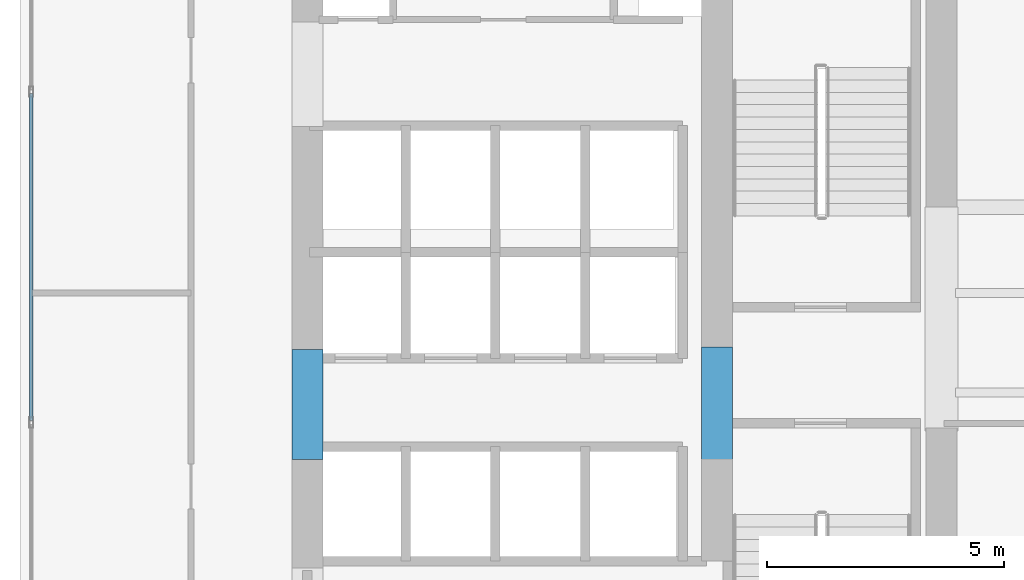
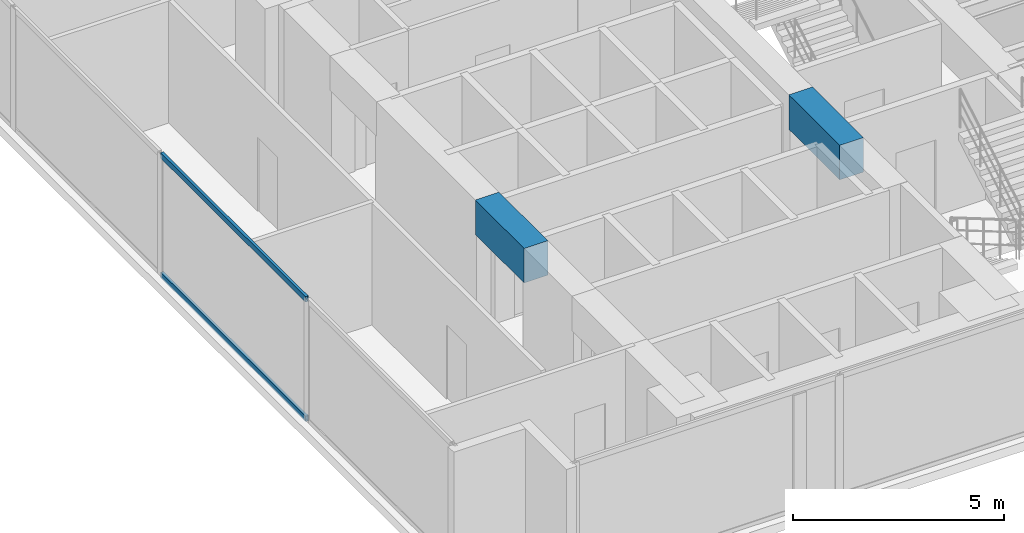
# One storey, part 3 of 28: 2 beams, 2 members, 1 element without a shape of its own.
"""IFC4 building model written with IfcOpenShell, lengths in metres."""

import ifcopenshell
import ifcopenshell.guid

model = None  # the IFC model being written
_history = None  # IfcOwnerHistory: only IFC2X3 demands one
_inside = {}  # id of a spatial element -> (the spatial element, [elements in it])
_under = {}  # id of a project, library or spatial element -> (it, [spatial elements below it])
_declared = {}  # id of a project -> (the project, [libraries it declares])
_typed = {}  # id of a type object -> (the type object, [elements of that type])
_made_of = {}  # id of a material, layer set ... -> (it, [elements and type objects made of it])


def new_model(schema):
    """Start an empty IFC model of exactly this schema.

    Asked for "IFC4X3", IfcOpenShell would pick the latest addendum, in which some entities
    have other attributes; the version numbers below select the first issue.
    IFC2X3 requires an IfcOwnerHistory on every rooted entity: one is made here for all.
    """
    global model, _history
    if schema == "IFC4X3":
        model = ifcopenshell.file(schema_version=(4, 3, 0, 0))
    else:
        model = ifcopenshell.file(schema=schema)
    _inside.clear()
    _under.clear()
    _declared.clear()
    _typed.clear()
    _made_of.clear()
    _history = None
    if model.schema == "IFC2X3":
        org = make("IfcOrganization", Name="unknown")
        user = make(
            "IfcPersonAndOrganization",
            ThePerson=make("IfcPerson", FamilyName="unknown"),
            TheOrganization=org,
        )
        app = make(
            "IfcApplication",
            ApplicationDeveloper=org,
            Version="unknown",
            ApplicationFullName="unknown",
            ApplicationIdentifier="unknown",
        )
        _history = make(
            "IfcOwnerHistory",
            OwningUser=user,
            OwningApplication=app,
            ChangeAction="ADDED",
            CreationDate=0,
        )
    return model


def make(cls, **values):
    """One entity of the class cls with the attributes given. An attribute that is None is left unset."""
    return model.create_entity(
        cls, **{name: value for name, value in values.items() if value is not None}
    )


def rooted(cls, **values):
    """An entity with a GlobalId (a new one), such as an element, a storey or a relation."""
    return make(cls, GlobalId=ifcopenshell.guid.new(), OwnerHistory=_history, **values)


def si_unit(unit_type, name, prefix=None):
    """IfcSIUnit, for example si_unit("LENGTHUNIT", "METRE", prefix="MILLI")."""
    return make("IfcSIUnit", UnitType=unit_type, Prefix=prefix, Name=name)


def assignment(units):
    """IfcUnitAssignment: the units of a project."""
    return None if units is None else make("IfcUnitAssignment", Units=units)


def point(xyz):
    """IfcCartesianPoint."""
    return None if xyz is None else make("IfcCartesianPoint", Coordinates=xyz)


def direction(xyz):
    """IfcDirection."""
    return None if xyz is None else make("IfcDirection", DirectionRatios=xyz)


def frame(location, z_axis=None, x_axis=None):
    """IfcAxis2Placement3D, a coordinate frame: its origin and axes. An axis left out is left unset."""
    return make(
        "IfcAxis2Placement3D",
        Location=point(location),
        Axis=direction(z_axis),
        RefDirection=direction(x_axis),
    )


def frame_2d(location, x_axis=None):
    """IfcAxis2Placement2D, a coordinate frame in the plane: its origin and x axis."""
    return make(
        "IfcAxis2Placement2D", Location=point(location), RefDirection=direction(x_axis)
    )


def origin():
    """The frame at (0, 0, 0) with its axes left unset."""
    return frame((0.0, 0.0, 0.0))


def origin_with_axes():
    """The frame at (0, 0, 0) with the z axis (0, 0, 1) and the x axis (1, 0, 0) written out."""
    return frame((0.0, 0.0, 0.0), z_axis=(0.0, 0.0, 1.0), x_axis=(1.0, 0.0, 0.0))


def origin_2d():
    """The frame at (0, 0) in the plane with its x axis left unset."""
    return frame_2d((0.0, 0.0))


def place(relative_to, where):
    """IfcLocalPlacement: puts the frame where relative to a parent placement (None: the world)."""
    return make(
        "IfcLocalPlacement", PlacementRelTo=relative_to, RelativePlacement=where
    )


def context(
    kind, dimensions, precision=None, world=None, true_north=None, identifier=None
):
    """IfcGeometricRepresentationContext, for example the 3D "Model" context."""
    return make(
        "IfcGeometricRepresentationContext",
        ContextIdentifier=identifier,
        ContextType=kind,
        CoordinateSpaceDimension=dimensions,
        Precision=precision,
        WorldCoordinateSystem=world,
        TrueNorth=true_north,
    )


def subcontext(parent, identifier, kind, view, scale=None):
    """IfcGeometricRepresentationSubContext, for example "Body" below "Model"."""
    return make(
        "IfcGeometricRepresentationSubContext",
        ContextIdentifier=identifier,
        ContextType=kind,
        ParentContext=parent,
        TargetScale=scale,
        TargetView=view,
    )


def project(units=None, contexts=None):
    """IfcProject with its units and contexts."""
    return rooted(
        "IfcProject",
        Name="project",
        RepresentationContexts=contexts,
        UnitsInContext=assignment(units),
    )


def spatial(cls, under=None, at=None, **own):
    """A site, building, storey or space (cls), placed at a placement, below another one or the project."""
    s = rooted(cls, ObjectPlacement=at, **own)
    if under is not None:
        _under.setdefault(under.id(), (under, []))[1].append(s)
    return s


def profile(cls, at=None, kind="AREA", **sizes):
    """A parametric profile (cls). Its sizes go by their IFC names, for example OverallWidth=200.0."""
    return make(cls, ProfileType=kind, Position=at, **sizes)


def rectangle(**sizes):
    """IfcRectangleProfileDef."""
    return profile("IfcRectangleProfileDef", **sizes)


def hollow_rectangle(**sizes):
    """IfcRectangleHollowProfileDef."""
    return profile("IfcRectangleHollowProfileDef", **sizes)


def extrude(swept, where, along, depth):
    """IfcExtrudedAreaSolid: the profile swept, set in the frame where, extruded along a direction by depth."""
    return make(
        "IfcExtrudedAreaSolid",
        SweptArea=swept,
        Position=where,
        ExtrudedDirection=direction(along),
        Depth=depth,
    )


def shape(context_of_items, identifier, shape_type, items):
    """IfcShapeRepresentation: the items that make up one representation, for example the "Body"."""
    return make(
        "IfcShapeRepresentation",
        ContextOfItems=context_of_items,
        RepresentationIdentifier=identifier,
        RepresentationType=shape_type,
        Items=items,
    )


def source(mapping_origin, context_of_items, identifier, shape_type, items):
    """IfcRepresentationMap: a shape defined once, which mapped items show again and again."""
    return make(
        "IfcRepresentationMap",
        MappingOrigin=mapping_origin,
        MappedRepresentation=shape(context_of_items, identifier, shape_type, items),
    )


def transform(
    local_origin,
    x_axis=None,
    y_axis=None,
    z_axis=None,
    scale=None,
    scale2=None,
    scale3=None,
    uniform=True,
):
    """IfcCartesianTransformationOperator3D, or its non-uniform kind. x_axis, y_axis, z_axis: its Axis1, 2, 3."""
    if uniform:
        return make(
            "IfcCartesianTransformationOperator3D",
            Axis1=direction(x_axis),
            Axis2=direction(y_axis),
            LocalOrigin=point(local_origin),
            Scale=scale,
            Axis3=direction(z_axis),
        )
    return make(
        "IfcCartesianTransformationOperator3DnonUniform",
        Axis1=direction(x_axis),
        Axis2=direction(y_axis),
        LocalOrigin=point(local_origin),
        Scale=scale,
        Axis3=direction(z_axis),
        Scale2=scale2,
        Scale3=scale3,
    )


def mapped(mapping_source, mapping_target):
    """IfcMappedItem: shows the shape of a source again, moved by a transform."""
    return make(
        "IfcMappedItem", MappingSource=mapping_source, MappingTarget=mapping_target
    )


def material(Name=None, Category=None):
    """IfcMaterial."""
    return make("IfcMaterial", Name=Name, Category=Category)


def layer(
    of_material, thickness, ventilated=None, Name=None, Category=None, Priority=None
):
    """IfcMaterialLayer: one layer of a wall or slab, of a material (None: an air gap)."""
    return make(
        "IfcMaterialLayer",
        Material=of_material,
        LayerThickness=thickness,
        IsVentilated=ventilated,
        Name=Name,
        Category=Category,
        Priority=Priority,
    )


def layer_set(layers, Name=None):
    """IfcMaterialLayerSet."""
    return make("IfcMaterialLayerSet", MaterialLayers=layers, LayerSetName=Name)


def material_profile(
    of_material, cross_section, Name=None, Category=None, Priority=None
):
    """IfcMaterialProfile: a cross section and its material."""
    return make(
        "IfcMaterialProfile",
        Name=Name,
        Material=of_material,
        Profile=cross_section,
        Priority=Priority,
        Category=Category,
    )


def profile_set(profiles, Name=None, composite=None):
    """IfcMaterialProfileSet."""
    return make(
        "IfcMaterialProfileSet",
        Name=Name,
        MaterialProfiles=profiles,
        CompositeProfile=composite,
    )


def made_of(thing, what):
    """Note that an element or type object is made of a material, layer set ...; save() writes the relation."""
    if what is not None:
        _made_of.setdefault(what.id(), (what, []))[1].append(thing)
    return thing


def type_object(cls, material=None, **own):
    """A type object (cls), such as IfcWallType, which elements share."""
    return made_of(rooted(cls, **own), material)


def element(
    cls,
    number,
    at=None,
    inside=None,
    cuts=None,
    type_object=None,
    material=None,
    context=None,
    identifier="Body",
    shape_type=None,
    held_by="IfcProductDefinitionShape",
    body=None,
    shapes=None,
    **own,
):
    """One element of the class cls, such as IfcWall. Its Tag is "e" and its number.

    at: its placement. inside: the storey or other place that contains it. cuts: it is an
    opening in that element (IfcRelVoidsElement). A single representation is given by context,
    identifier, shape_type and body (its items); several are given by shapes. held_by: the class
    of the entity that holds the representations. save() writes the other relations.
    """
    e = rooted(cls, Tag="e%d" % number, ObjectPlacement=at, **own)
    if body is not None:
        shapes = [shape(context, identifier, shape_type, body)]
    if shapes is not None:
        e.Representation = make(held_by, Representations=shapes)
    if inside is not None:
        _inside.setdefault(inside.id(), (inside, []))[1].append(e)
    if cuts is not None:
        rooted(
            "IfcRelVoidsElement", RelatingBuildingElement=cuts, RelatedOpeningElement=e
        )
    if type_object is not None:
        _typed.setdefault(type_object.id(), (type_object, []))[1].append(e)
    return made_of(e, material)


def aggregate(whole, parts):
    """IfcRelAggregates: a whole, such as a stair, and the parts it consists of."""
    return rooted("IfcRelAggregates", RelatingObject=whole, RelatedObjects=parts)


def save(model, path):
    """Write the relations noted so far, then the file.

    IfcRelAggregates (storeys below a building ...), IfcRelContainedInSpatialStructure (elements
    in a storey), IfcRelDefinesByType, IfcRelAssociatesMaterial and IfcRelDeclares: one each for
    every whole, place, type object, material and project.
    """
    for whole, parts in _under.values():
        aggregate(whole, parts)
    for where, things in _inside.values():
        rooted(
            "IfcRelContainedInSpatialStructure",
            RelatedElements=things,
            RelatingStructure=where,
        )
    for kind, things in _typed.values():
        rooted("IfcRelDefinesByType", RelatedObjects=things, RelatingType=kind)
    for what, things in _made_of.values():
        rooted("IfcRelAssociatesMaterial", RelatedObjects=things, RelatingMaterial=what)
    for by, libraries in _declared.values():
        rooted("IfcRelDeclares", RelatingContext=by, RelatedDefinitions=libraries)
    model.write(path)


model = new_model("IFC4")

# Units and contexts
model_context = context("Model", 3, precision=1e-05, world=origin(), true_north=direction((0.0, 1.0)))
body_context = subcontext(model_context, "Body", "Model", "MODEL_VIEW")
ifc_project = project(units=[si_unit("LENGTHUNIT", "METRE"), si_unit("AREAUNIT", "SQUARE_METRE"), si_unit("VOLUMEUNIT", "CUBIC_METRE"), si_unit("PLANEANGLEUNIT", "RADIAN"), si_unit("MASSUNIT", "GRAM", prefix="KILO")], contexts=[model_context])

# Site, building, storey
site_placement = place(None, origin())
site = spatial("IfcSite", under=ifc_project, at=site_placement, CompositionType="ELEMENT")
building_placement = place(site_placement, origin())
building = spatial("IfcBuilding", under=site, at=building_placement, Name="Kolvaren Waterfront Exchange", CompositionType="ELEMENT")
storey_placement = place(building_placement, frame((0.0, 0.0, 114.5)))
storey = spatial("IfcBuildingStorey", under=building, at=storey_placement, Name="L29", CompositionType="ELEMENT", Elevation=114.5)

# Beams
ifc_material_1 = material(Name="Concrete C60/75", Category="concrete")
ifc_material_profile_1 = material_profile(ifc_material_1, rectangle(XDim=0.64990234375, YDim=1.0, at=origin_2d()), Name="RC-CB-1000x650")
ifc_profile_set_1 = profile_set([ifc_material_profile_1], Name="Concrete C60/75")
beam_type = type_object("IfcBeamType", Name="STR-CB-1000", PredefinedType="SPANDREL", material=ifc_profile_set_1)
beam_1_placement = place(storey_placement, frame((7.449951171875, 12.090087890625, 3.0400390625), z_axis=(0.0, 1.0, 0.0), x_axis=(-1.0, 0.0, 0.0)))
element("IfcBeam", 1, at=beam_1_placement, inside=storey, type_object=beam_type, Name="L29 core coupling beam 4", PredefinedType="SPANDREL", context=body_context, shape_type="SweptSolid", body=[
    extrude(rectangle(XDim=0.64990234375, YDim=1.0, at=origin_2d()), origin(), (0.0, 0.0, 1.0), 2.31982421875),
])
beam_2_placement = place(storey_placement, frame((16.074951171875, 12.0400390625, 3.0400390625), z_axis=(0.0, 1.0, 0.0), x_axis=(-1.0, 0.0, 0.0)))
element("IfcBeam", 2, at=beam_2_placement, inside=storey, type_object=beam_type, Name="L29 core coupling beam 6", PredefinedType="SPANDREL", context=body_context, shape_type="SweptSolid", body=[
    extrude(rectangle(XDim=0.64990234375, YDim=1.0, at=origin_2d()), origin(), (0.0, 0.0, 1.0), 2.419921875),
])

# Curtain wall, members
ifc_material_2 = material(Name="Anodised aluminium 6063-T6", Category="aluminium")
ifc_layer = layer(ifc_material_2, 0.219970703125, Name="Anodised aluminium 6063-T6")
ifc_layer_set = layer_set([ifc_layer], Name="Anodised aluminium 6063-T6")
curtain_wall_type = type_object("IfcCurtainWallType", Name="ARC-CW-SYS2", PredefinedType="USERDEFINED", material=ifc_layer_set)
curtain_wall_placement = place(storey_placement, origin())
curtain_wall = element("IfcCurtainWall", 3, at=curtain_wall_placement, inside=storey, type_object=curtain_wall_type, Name="L29 stick curtain wall CW2 (CW-L29-W)", ObjectType="STICK CURTAIN WALL", PredefinedType="USERDEFINED")
ifc_material_profile_2 = material_profile(ifc_material_2, hollow_rectangle(XDim=0.074951171875, YDim=0.159912109375, WallThickness=0.00439453125, at=origin_2d()), Name="ALU-TRN-160x75x4.5")
ifc_profile_set_2 = profile_set([ifc_material_profile_2], Name="Anodised aluminium 6063-T6")
member_type = type_object("IfcMemberType", Name="ARC-CWT-160", PredefinedType="USERDEFINED", material=ifc_profile_set_2)
shared_shape = source(origin_with_axes(), body_context, "Body", "SweptSolid", [
    extrude(hollow_rectangle(XDim=0.074951171875, YDim=0.159912109375, WallThickness=0.00439453125, at=origin_2d()), origin(), (0.0, 0.0, 1.0), 6.886474609375),
])
member_1_placement = place(storey_placement, frame((1.639892578125, 12.90673828125, 0.03759765625), z_axis=(0.0, 1.0, 0.0), x_axis=(-1.0, 0.0, 0.0)))
member_1 = element("IfcMember", 4, at=member_1_placement, type_object=member_type, Name="CW2 transom 2.1", ObjectType="TRANSOM", PredefinedType="USERDEFINED", context=body_context, shape_type="MappedRepresentation", body=[
    mapped(shared_shape, transform((0.0, 0.0, 0.0), x_axis=(1.0, 0.0, 0.0), y_axis=(0.0, 1.0, 0.0), z_axis=(0.0, 0.0, 1.0), scale=1.0)),
])
member_2_placement = place(storey_placement, frame((1.639892578125, 12.90673828125, 3.50244140625), z_axis=(0.0, 1.0, 0.0), x_axis=(-1.0, 0.0, 0.0)))
member_2 = element("IfcMember", 5, at=member_2_placement, type_object=member_type, Name="CW2 transom 2.2", ObjectType="TRANSOM", PredefinedType="USERDEFINED", context=body_context, shape_type="MappedRepresentation", body=[
    mapped(shared_shape, transform((0.0, 0.0, 0.0), x_axis=(1.0, 0.0, 0.0), y_axis=(0.0, 1.0, 0.0), z_axis=(0.0, 0.0, 1.0), scale=1.0)),
])
aggregate(curtain_wall, [member_1, member_2])

save(model, "model.ifc")
